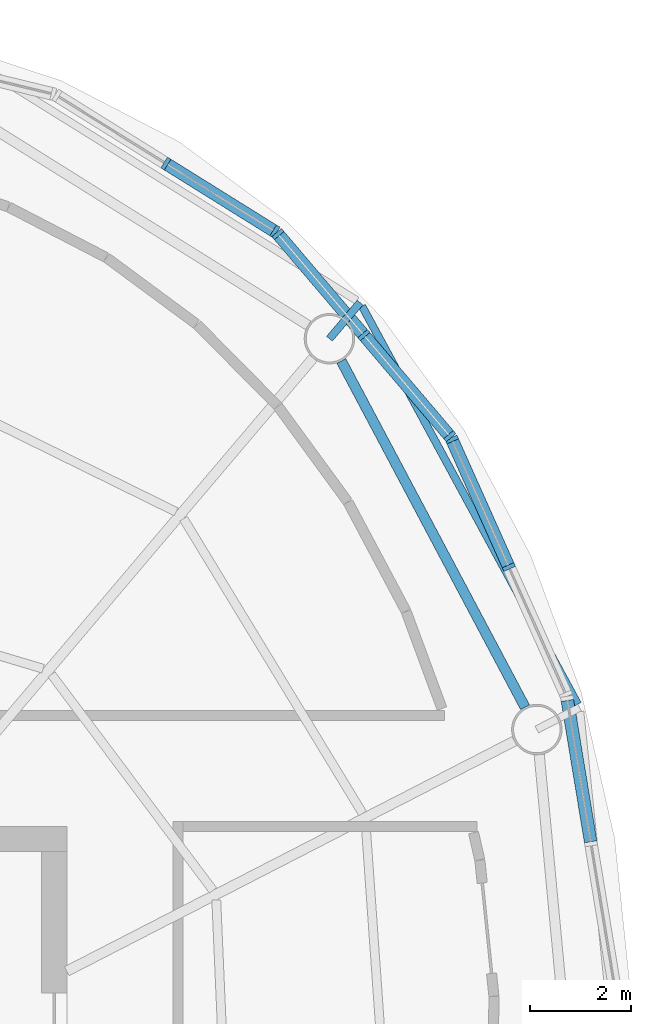
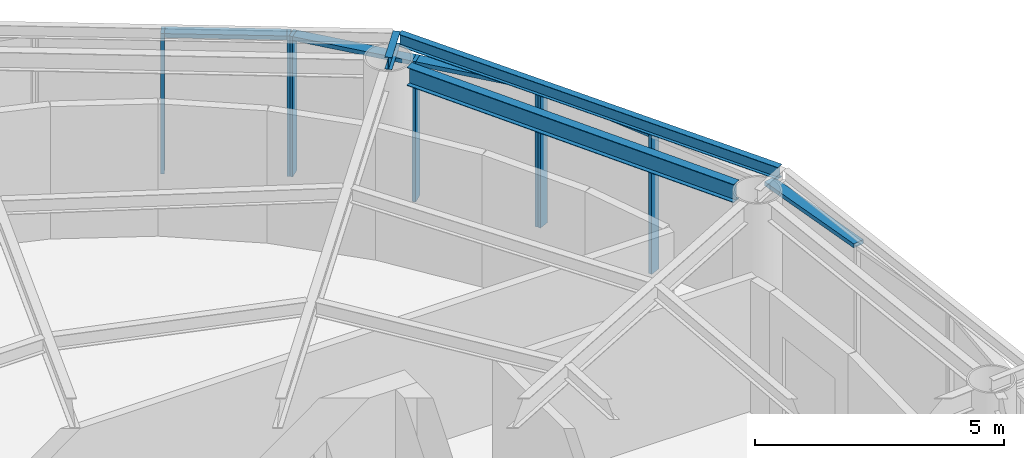
# One storey, part 6 of 11: 12 members, 3 beams, 4 elements without a shape of their own.
"""IFC4 building model written with IfcOpenShell, lengths in metres."""

from ifc_helpers import new_model, si_unit, direction, frame, origin, origin_2d, place, context, subcontext, project, spatial, rectangle, i_section, extrude, material, material_profile, profile_set, type_object, element, aggregate, save


model = new_model("IFC4")

# Units and contexts
model_context = context("Model", 3, precision=1e-05, world=origin(), true_north=direction((0.0, 1.0)))
body_context = subcontext(model_context, "Body", "Model", "MODEL_VIEW")
ifc_project = project(units=[si_unit("LENGTHUNIT", "METRE"), si_unit("AREAUNIT", "SQUARE_METRE"), si_unit("VOLUMEUNIT", "CUBIC_METRE"), si_unit("PLANEANGLEUNIT", "RADIAN"), si_unit("MASSUNIT", "GRAM", prefix="KILO")], contexts=[model_context])

# Site, building, storey
site_placement = place(None, origin())
site = spatial("IfcSite", under=ifc_project, at=site_placement, CompositionType="ELEMENT")
building_placement = place(site_placement, origin())
building = spatial("IfcBuilding", under=site, at=building_placement, Name="Vermilion Reach Broadcast Tower", CompositionType="ELEMENT")
storey_placement = place(building_placement, frame((0.0, 0.0, 325.5)))
storey = spatial("IfcBuildingStorey", under=building, at=storey_placement, Name="L81 CROWN", CompositionType="ELEMENT", Elevation=325.5)

# Curtain wall, members
ifc_material_1 = material(Name="Low-e laminated clear glass in aluminium frame", Category="aluminium")
curtain_wall_type = type_object("IfcCurtainWallType", Name="Crown glazing curtain wall", PredefinedType="NOTDEFINED", material=ifc_material_1)
placement = place(storey_placement, origin())
curtain_wall_1 = element("IfcCurtainWall", 1, at=placement, inside=storey, type_object=curtain_wall_type, Name="Crown glazing L81 CROWN 22", PredefinedType="NOTDEFINED")
ifc_material_2 = material(Name="Anodised aluminium", Category="aluminium")
ifc_material_profile_1 = material_profile(ifc_material_2, rectangle(XDim=0.25, YDim=0.080078125, at=origin_2d()), Name="Crown glazing mullion 80 x 250")
ifc_profile_set_1 = profile_set([ifc_material_profile_1], Name="Anodised aluminium")
member_type_1 = type_object("IfcMemberType", Name="Crown glazing mullion 80 x 250", PredefinedType="MULLION", material=ifc_profile_set_1)
member_1_placement = place(storey_placement, frame((12.35205078125, 12.9365234375, 0.0), z_axis=(0.0, 0.0, 1.0), x_axis=(-0.912988806241, -0.407984607158, 0.0)))
member_1 = element("IfcMember", 2, at=member_1_placement, type_object=member_type_1, Name="Crown glazing mullion L81 CROWN 22.2", PredefinedType="MULLION", context=body_context, shape_type="SweptSolid", body=[
    extrude(rectangle(XDim=0.25, YDim=0.080078125, at=origin_2d()), origin(), (0.0, 0.0, 1.0), 3.449951171875),
])
member_2_placement = place(storey_placement, frame((11.2236328125, 15.46142578125, 0.0), z_axis=(0.0, 0.0, 1.0), x_axis=(-0.912988806241, -0.407984607158, 0.0)))
member_2 = element("IfcMember", 3, at=member_2_placement, type_object=member_type_1, Name="Crown glazing mullion L81 CROWN 22.3", PredefinedType="MULLION", context=body_context, shape_type="SweptSolid", body=[
    extrude(rectangle(XDim=0.25, YDim=0.080078125, at=origin_2d()), origin(), (0.0, 0.0, 1.0), 3.449951171875),
])

curtain_wall_2 = element("IfcCurtainWall", 4, at=placement, inside=storey, type_object=curtain_wall_type, Name="Crown glazing L81 CROWN 23", PredefinedType="NOTDEFINED")
member_3_placement = place(storey_placement, frame((11.181396484375, 15.5283203125, 0.0), z_axis=(0.0, 0.0, 1.0), x_axis=(-0.761749854468, -0.647871252038, 0.0)))
member_3 = element("IfcMember", 5, at=member_3_placement, type_object=member_type_1, Name="Crown glazing mullion L81 CROWN 23.1", PredefinedType="MULLION", context=body_context, shape_type="SweptSolid", body=[
    extrude(rectangle(XDim=0.25, YDim=0.080078125, at=origin_2d()), origin(), (0.0, 0.0, 1.0), 3.449951171875),
])
member_4_placement = place(storey_placement, frame((9.480224609375, 17.52880859375, 0.0), z_axis=(0.0, 0.0, 1.0), x_axis=(-0.761749854468, -0.647871252038, 0.0)))
member_4 = element("IfcMember", 6, at=member_4_placement, type_object=member_type_1, Name="Crown glazing mullion L81 CROWN 23.2", PredefinedType="MULLION", context=body_context, shape_type="SweptSolid", body=[
    extrude(rectangle(XDim=0.25, YDim=0.080078125, at=origin_2d()), origin(), (0.0, 0.0, 1.0), 3.449951171875),
])
member_5_placement = place(storey_placement, frame((7.77880859375, 19.529052734375, 0.0), z_axis=(0.0, 0.0, 1.0), x_axis=(-0.761749854468, -0.647871252038, 0.0)))
member_5 = element("IfcMember", 7, at=member_5_placement, type_object=member_type_1, Name="Crown glazing mullion L81 CROWN 23.3", PredefinedType="MULLION", context=body_context, shape_type="SweptSolid", body=[
    extrude(rectangle(XDim=0.25, YDim=0.080078125, at=origin_2d()), origin(), (0.0, 0.0, 1.0), 3.449951171875),
])

curtain_wall_3 = element("IfcCurtainWall", 8, at=placement, inside=storey, type_object=curtain_wall_type, Name="Crown glazing L81 CROWN 24", PredefinedType="NOTDEFINED")
member_6_placement = place(storey_placement, frame((7.718994140625, 19.580810546875, 0.0), z_axis=(0.0, 0.0, 1.0), x_axis=(-0.52886102859, -0.848708437827, 0.0)))
member_6 = element("IfcMember", 9, at=member_6_placement, type_object=member_type_1, Name="Crown glazing mullion L81 CROWN 24.1", PredefinedType="MULLION", context=body_context, shape_type="SweptSolid", body=[
    extrude(rectangle(XDim=0.25, YDim=0.080078125, at=origin_2d()), origin(), (0.0, 0.0, 1.0), 3.449951171875),
])
member_7_placement = place(storey_placement, frame((5.5615234375, 20.925048828125, 0.0), z_axis=(0.0, 0.0, 1.0), x_axis=(-0.52886102859, -0.848708437827, 0.0)))
member_7 = element("IfcMember", 10, at=member_7_placement, type_object=member_type_1, Name="Crown glazing mullion L81 CROWN 24.2", PredefinedType="MULLION", context=body_context, shape_type="SweptSolid", body=[
    extrude(rectangle(XDim=0.25, YDim=0.080078125, at=origin_2d()), origin(), (0.0, 0.0, 1.0), 3.449951171875),
])

# Curtain wall, member
curtain_wall_4 = element("IfcCurtainWall", 11, at=placement, inside=storey, type_object=curtain_wall_type, Name="Crown glazing L81 CROWN 21", PredefinedType="NOTDEFINED")
ifc_material_3 = material(Name="Anodised aluminium", Category="aluminium")
ifc_material_profile_2 = material_profile(ifc_material_3, rectangle(XDim=0.25, YDim=0.10009765625, at=origin_2d()), Name="Crown glazing transom 250 x 100")
ifc_profile_set_2 = profile_set([ifc_material_profile_2], Name="Anodised aluminium")
member_type_2 = type_object("IfcMemberType", Name="Crown glazing transom 250 x 100", PredefinedType="USERDEFINED", material=ifc_profile_set_2)
member_8_placement = place(storey_placement, frame((13.970947265625, 7.496337890625, 3.39990234375), z_axis=(-0.162599033258, 0.986692228805, 0.0), x_axis=(-0.986692228805, -0.162599033258, 0.0)))
member_8 = element("IfcMember", 12, at=member_8_placement, type_object=member_type_2, Name="Crown glazing transom L81 CROWN 21.2.2", ObjectType="TRANSOM", PredefinedType="USERDEFINED", context=body_context, shape_type="SweptSolid", body=[
    extrude(rectangle(XDim=0.25, YDim=0.10009765625, at=origin_2d()), origin(), (0.0, 0.0, 1.0), 2.837890625),
])
aggregate(curtain_wall_4, [member_8])

# Member
member_9_placement = place(storey_placement, frame((12.335693359375, 12.97314453125, 3.39990234375), z_axis=(-0.40802713302, 0.912969801647, 0.0), x_axis=(-0.912969801647, -0.40802713302, 0.0)))
member_9 = element("IfcMember", 13, at=member_9_placement, type_object=member_type_2, Name="Crown glazing transom L81 CROWN 22.2.2", ObjectType="TRANSOM", PredefinedType="USERDEFINED", context=body_context, shape_type="SweptSolid", body=[
    extrude(rectangle(XDim=0.25, YDim=0.10009765625, at=origin_2d()), origin(), (0.0, 0.0, 1.0), 2.685302734375),
])

aggregate(curtain_wall_1, [member_1, member_2, member_9])

member_10_placement = place(storey_placement, frame((11.155517578125, 15.558837890625, 3.39990234375), z_axis=(-0.647848811341, 0.7617689398, 0.0), x_axis=(-0.7617689398, -0.647848811341, 0.0)))
member_10 = element("IfcMember", 14, at=member_10_placement, type_object=member_type_2, Name="Crown glazing transom L81 CROWN 23.1.2", ObjectType="TRANSOM", PredefinedType="USERDEFINED", context=body_context, shape_type="SweptSolid", body=[
    extrude(rectangle(XDim=0.25, YDim=0.10009765625, at=origin_2d()), origin(), (0.0, 0.0, 1.0), 2.5458984375),
])

member_11_placement = place(storey_placement, frame((9.454345703125, 17.55908203125, 3.39990234375), z_axis=(-0.647904451719, 0.761721616762, 0.0), x_axis=(-0.761721616762, -0.647904451719, 0.0)))
member_11 = element("IfcMember", 15, at=member_11_placement, type_object=member_type_2, Name="Crown glazing transom L81 CROWN 23.2.2", ObjectType="TRANSOM", PredefinedType="USERDEFINED", context=body_context, shape_type="SweptSolid", body=[
    extrude(rectangle(XDim=0.25, YDim=0.10009765625, at=origin_2d()), origin(), (0.0, 0.0, 1.0), 2.546142578125),
])

aggregate(curtain_wall_2, [member_3, member_4, member_5, member_10, member_11])

member_12_placement = place(storey_placement, frame((7.68505859375, 19.601806640625, 3.39990234375), z_axis=(-0.848682779768, 0.528902202043, 0.0), x_axis=(-0.528902202043, -0.848682779768, 0.0)))
member_12 = element("IfcMember", 16, at=member_12_placement, type_object=member_type_2, Name="Crown glazing transom L81 CROWN 24.1.2", ObjectType="TRANSOM", PredefinedType="USERDEFINED", context=body_context, shape_type="SweptSolid", body=[
    extrude(rectangle(XDim=0.25, YDim=0.10009765625, at=origin_2d()), origin(), (0.0, 0.0, 1.0), 2.462158203125),
])

aggregate(curtain_wall_3, [member_6, member_7, member_12])

# Beams
ifc_material_4 = material(Name="Steel S355J2", Category="steel")
ifc_material_profile_3 = material_profile(ifc_material_4, i_section(OverallWidth=0.14990234375, OverallDepth=0.300048828125, WebThickness=0.006591796875, FlangeThickness=0.009033203125, at=origin_2d()), Name="S355J2 HN 300x150x6.5x9")
ifc_profile_set_3 = profile_set([ifc_material_profile_3], Name="Steel S355J2")
beam_type_1 = type_object("IfcBeamType", Name="EB5 HN 300x150x6.5x9", PredefinedType="BEAM", material=ifc_profile_set_3)
beam_1_placement = place(storey_placement, frame((13.7158203125, 10.22119140625, 3.60009765625), z_axis=(-0.476526173128, 0.879160284774, 0.0), x_axis=(-0.879160284774, -0.476526173128, 0.0)))
element("IfcBeam", 17, at=beam_1_placement, inside=storey, type_object=beam_type_1, Name="Edge beam EB5-15", PredefinedType="BEAM", context=body_context, shape_type="SweptSolid", body=[
    extrude(i_section(OverallWidth=0.14990234375, OverallDepth=0.300048828125, WebThickness=0.006591796875, FlangeThickness=0.009033203125, at=origin_2d()), origin(), (0.0, 0.0, 1.0), 8.9638671875),
])
ifc_material_5 = material(Name="Steel S355J2", Category="steel")
ifc_material_profile_4 = material_profile(ifc_material_5, i_section(OverallWidth=0.14990234375, OverallDepth=0.300048828125, WebThickness=0.006591796875, FlangeThickness=0.009033203125, at=origin_2d()), Name="S355J2 HN 300x150x6.5x9")
ifc_profile_set_4 = profile_set([ifc_material_profile_4], Name="Steel S355J2")
beam_type_2 = type_object("IfcBeamType", Name="GS5 HN 300x150x6.5x9", PredefinedType="BEAM", material=ifc_profile_set_4)
beam_2_placement = place(storey_placement, frame((8.799560546875, 17.457275390625, 3.60009765625), z_axis=(0.646665495652, 0.762773712665, 0.0), x_axis=(-0.762773712665, 0.646665495652, 0.0)))
element("IfcBeam", 18, at=beam_2_placement, inside=storey, type_object=beam_type_2, Name="Cantilever stub GS5-16", PredefinedType="BEAM", context=body_context, shape_type="SweptSolid", body=[
    extrude(i_section(OverallWidth=0.14990234375, OverallDepth=0.300048828125, WebThickness=0.006591796875, FlangeThickness=0.009033203125, at=origin_2d()), origin(), (0.0, 0.0, 1.0), 0.937744140625),
])
ifc_material_6 = material(Name="Steel S355J2", Category="steel")
ifc_material_profile_5 = material_profile(ifc_material_6, i_section(OverallWidth=0.199951171875, OverallDepth=0.449951171875, WebThickness=0.009033203125, FlangeThickness=0.013916015625, at=origin_2d()), Name="S355J2 HN 450x200x9x14")
ifc_profile_set_5 = profile_set([ifc_material_profile_5], Name="Steel S355J2")
beam_type_3 = type_object("IfcBeamType", Name="RB5 HN 450x200x9x14", PredefinedType="BEAM", material=ifc_profile_set_5)
beam_3_placement = place(storey_placement, frame((12.671142578125, 10.161865234375, 3.52490234375), z_axis=(-0.468767917375, 0.883321368269, 0.0), x_axis=(-0.883321368269, -0.468767917375, 0.0)))
element("IfcBeam", 19, at=beam_3_placement, inside=storey, type_object=beam_type_3, Name="Ring beam RB5-15", PredefinedType="BEAM", context=body_context, shape_type="SweptSolid", body=[
    extrude(i_section(OverallWidth=0.199951171875, OverallDepth=0.449951171875, WebThickness=0.009033203125, FlangeThickness=0.013916015625, at=origin_2d()), origin(), (0.0, 0.0, 1.0), 7.759033203125),
])

save(model, "model.ifc")
